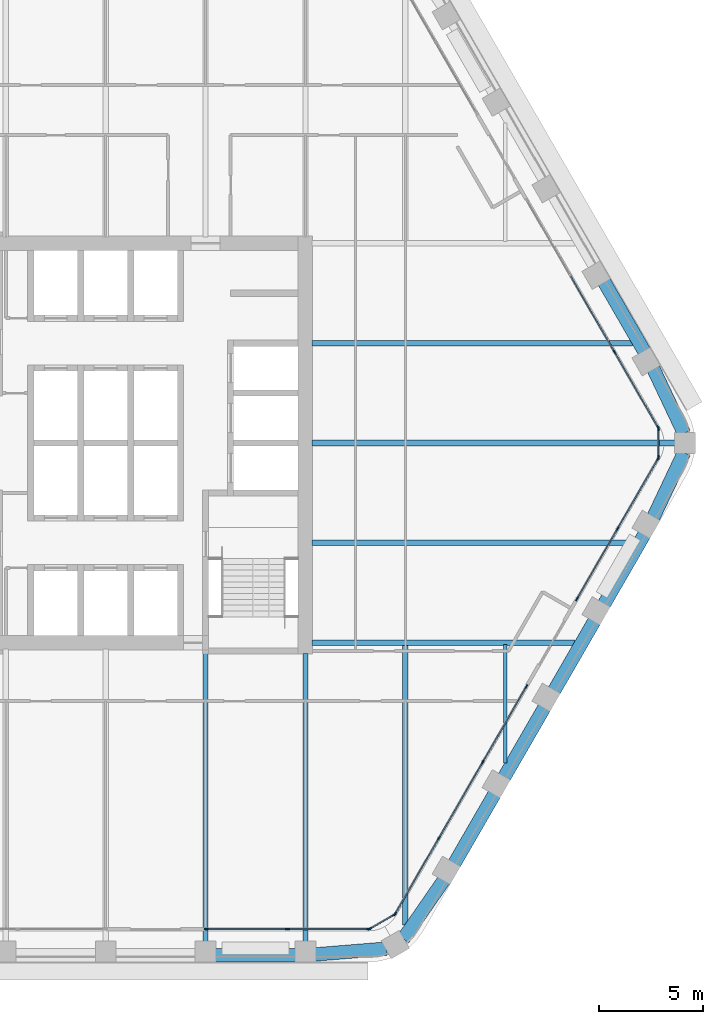
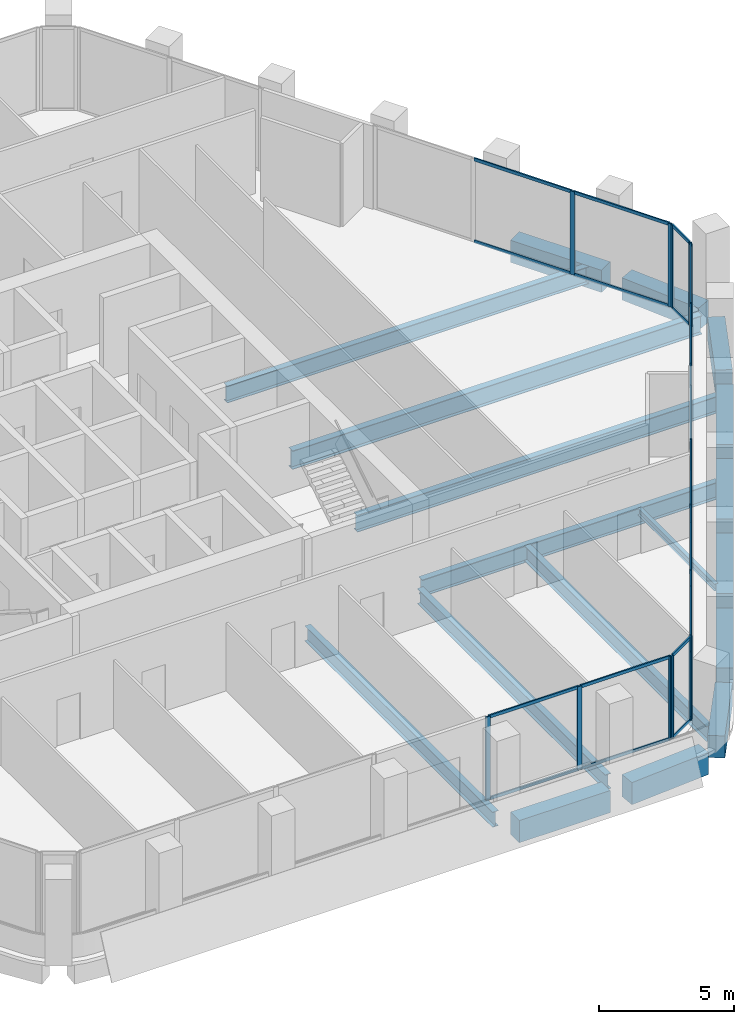
# One storey, part 4 of 15: 38 members, 18 beams, 6 elements without a shape of their own.
"""IFC4 building model written with IfcOpenShell, lengths in metres."""

from ifc_helpers import new_model, si_unit, direction, frame, origin, origin_2d, place, context, subcontext, project, spatial, rectangle, i_section, extrude, material, material_profile, profile_set, type_object, element, aggregate, save


model = new_model("IFC4")

# Units and contexts
model_context = context("Model", 3, precision=1e-05, world=origin(), true_north=direction((0.0, 1.0)))
body_context = subcontext(model_context, "Body", "Model", "MODEL_VIEW")
ifc_project = project(units=[si_unit("LENGTHUNIT", "METRE"), si_unit("AREAUNIT", "SQUARE_METRE"), si_unit("VOLUMEUNIT", "CUBIC_METRE"), si_unit("PLANEANGLEUNIT", "RADIAN"), si_unit("MASSUNIT", "GRAM", prefix="KILO")], contexts=[model_context])

# Site, building, storey
site_placement = place(None, origin())
site = spatial("IfcSite", under=ifc_project, at=site_placement, CompositionType="ELEMENT")
building_placement = place(site_placement, origin())
building = spatial("IfcBuilding", under=site, at=building_placement, Name="Kolab Exchange Tower", CompositionType="ELEMENT")
storey_placement = place(building_placement, frame((0.0, 0.0, 189.5)))
storey = spatial("IfcBuildingStorey", under=building, at=storey_placement, Name="L40", CompositionType="ELEMENT", Elevation=189.5)

# Beams
ifc_material_1 = material(Name="Steel S355", Category="steel")
ifc_material_profile_1 = material_profile(ifc_material_1, i_section(OverallWidth=0.1650390625, OverallDepth=0.31005859375, WebThickness=0.005859375, FlangeThickness=0.009765625, at=origin_2d()), Name="W310X39")
ifc_profile_set_1 = profile_set([ifc_material_profile_1], Name="Steel S355")
beam_type_1 = type_object("IfcBeamType", Name="FLOOR BEAM W310X39", PredefinedType="BEAM", material=ifc_profile_set_1)
beam_1_placement = place(storey_placement, frame((19.199951171875, -15.36767578125, -0.304931640625), z_axis=(0.0, 1.0, 0.0), x_axis=(-1.0, 0.0, 0.0)))
element("IfcBeam", 1, at=beam_1_placement, inside=storey, type_object=beam_type_1, Name="beam/L40/fr/022", PredefinedType="BEAM", context=body_context, shape_type="SweptSolid", body=[
    extrude(i_section(OverallWidth=0.1650390625, OverallDepth=0.31005859375, WebThickness=0.005859375, FlangeThickness=0.009765625, at=origin_2d()), origin(), (0.0, 0.0, 1.0), 5.674072265625),
])
ifc_material_profile_2 = material_profile(ifc_material_1, i_section(OverallWidth=0.25390625, OverallDepth=0.68408203125, WebThickness=0.012451171875, FlangeThickness=0.018798828125, at=origin_2d()), Name="W690X140")
ifc_profile_set_2 = profile_set([ifc_material_profile_2], Name="Steel S355")
beam_type_2 = type_object("IfcBeamType", Name="FLOOR BEAM W690X140", PredefinedType="BEAM", material=ifc_profile_set_2)
for number, where, z_axis, x_axis, name in (
    (2, (4.800048828125, -23.9814453125, -0.491943359375), (0.0, 1.0, 0.0), (-1.0, 0.0, 0.0), "beam/L40/fr/013"),
    (3, (9.60009765625, -23.9814453125, -0.491943359375), (0.0, 1.0, 0.0), (-1.0, 0.0, 0.0), "beam/L40/fr/015"),
):
    element("IfcBeam", number, at=place(storey_placement, frame(where, z_axis=z_axis, x_axis=x_axis)), inside=storey, type_object=beam_type_2, Name=name, PredefinedType="BEAM", context=body_context, shape_type="SweptSolid", body=[
        extrude(i_section(OverallWidth=0.25390625, OverallDepth=0.68408203125, WebThickness=0.012451171875, FlangeThickness=0.018798828125, at=origin_2d()), origin(), (0.0, 0.0, 1.0), 13.871337890625),
    ])
beam_2_placement = place(storey_placement, frame((14.39990234375, -23.15576171875, -0.491943359375), z_axis=(0.0, 1.0, 0.0), x_axis=(-1.0, 0.0, 0.0)))
element("IfcBeam", 4, at=beam_2_placement, inside=storey, type_object=beam_type_2, Name="beam/L40/fr/020", PredefinedType="BEAM", context=body_context, shape_type="SweptSolid", body=[
    extrude(i_section(OverallWidth=0.25390625, OverallDepth=0.68408203125, WebThickness=0.012451171875, FlangeThickness=0.018798828125, at=origin_2d()), origin(), (0.0, 0.0, 1.0), 13.462158203125),
])
ifc_material_profile_3 = material_profile(ifc_material_1, i_section(OverallWidth=0.26708984375, OverallDepth=0.761962890625, WebThickness=0.014404296875, FlangeThickness=0.021484375, at=origin_2d()), Name="W760X173")
ifc_profile_set_3 = profile_set([ifc_material_profile_3], Name="Steel S355")
beam_type_3 = type_object("IfcBeamType", Name="FLOOR BEAM W760X173", PredefinedType="BEAM", material=ifc_profile_set_3)
for number, where, z_axis, x_axis, name in (
    (5, (9.909912109375, -4.800048828125, -0.531005859375), (1.0, 0.0, 0.0), (0.0, 1.0, 0.0), "beam/L40/fr/017"),
    (6, (9.909912109375, 4.800048828125, -0.531005859375), (1.0, 0.0, 0.0), (0.0, 1.0, 0.0), "beam/L40/fr/019"),
):
    element("IfcBeam", number, at=place(storey_placement, frame(where, z_axis=z_axis, x_axis=x_axis)), inside=storey, type_object=beam_type_3, Name=name, PredefinedType="BEAM", context=body_context, shape_type="SweptSolid", body=[
        extrude(i_section(OverallWidth=0.26708984375, OverallDepth=0.761962890625, WebThickness=0.014404296875, FlangeThickness=0.021484375, at=origin_2d()), origin(), (0.0, 0.0, 1.0), 15.408203125),
    ])
ifc_material_profile_4 = material_profile(ifc_material_1, i_section(OverallWidth=0.2919921875, OverallDepth=0.840087890625, WebThickness=0.0146484375, FlangeThickness=0.021728515625, at=origin_2d()), Name="W840X193")
ifc_profile_set_4 = profile_set([ifc_material_profile_4], Name="Steel S355")
beam_type_4 = type_object("IfcBeamType", Name="FLOOR BEAM W840X193", PredefinedType="BEAM", material=ifc_profile_set_4)
beam_3_placement = place(storey_placement, frame((9.909912109375, 0.0, -0.570068359375), z_axis=(1.0, 0.0, 0.0), x_axis=(0.0, 1.0, 0.0)))
element("IfcBeam", 7, at=beam_3_placement, inside=storey, type_object=beam_type_4, Name="beam/L40/fr/018", PredefinedType="BEAM", context=body_context, shape_type="SweptSolid", body=[
    extrude(i_section(OverallWidth=0.2919921875, OverallDepth=0.840087890625, WebThickness=0.0146484375, FlangeThickness=0.021728515625, at=origin_2d()), origin(), (0.0, 0.0, 1.0), 17.466064453125),
])
ifc_material_profile_5 = material_profile(ifc_material_1, i_section(OverallWidth=0.26708984375, OverallDepth=0.761962890625, WebThickness=0.014404296875, FlangeThickness=0.021484375, at=origin_2d()), Name="W760X173")
ifc_profile_set_5 = profile_set([ifc_material_profile_5], Name="Steel S355")
beam_type_5 = type_object("IfcBeamType", Name="FLOOR GIRDER W760X173", PredefinedType="BEAM", material=ifc_profile_set_5)
beam_4_placement = place(storey_placement, frame((9.909912109375, -9.60009765625, -0.531005859375), z_axis=(1.0, 0.0, 0.0), x_axis=(0.0, 1.0, 0.0)))
element("IfcBeam", 8, at=beam_4_placement, inside=storey, type_object=beam_type_5, Name="beam/L40/gd/002", PredefinedType="BEAM", context=body_context, shape_type="SweptSolid", body=[
    extrude(i_section(OverallWidth=0.26708984375, OverallDepth=0.761962890625, WebThickness=0.014404296875, FlangeThickness=0.021484375, at=origin_2d()), origin(), (0.0, 0.0, 1.0), 12.636962890625),
])
ifc_material_2 = material(Name="Concrete C60/75", Category="concrete")
ifc_material_profile_6 = material_profile(ifc_material_2, rectangle(XDim=0.64990234375, YDim=1.0, at=origin_2d()), Name="RC650X1000")
ifc_profile_set_6 = profile_set([ifc_material_profile_6], Name="Concrete C60/75")
beam_type_6 = type_object("IfcBeamType", Name="SPANDREL BEAM 650X1000 C60/75", PredefinedType="BEAM", material=ifc_profile_set_6)
beam_5_placement = place(storey_placement, frame((23.948486328125, 7.7529296875, -0.64990234375), z_axis=(0.499996613652, -0.866027358884, 0.0), x_axis=(0.866027358884, 0.499996613652, 0.0)))
element("IfcBeam", 9, at=beam_5_placement, inside=storey, type_object=beam_type_6, Name="beam/L40/sp/F2-05", PredefinedType="BEAM", context=body_context, shape_type="SweptSolid", body=[
    extrude(rectangle(XDim=0.64990234375, YDim=1.0, at=origin_2d()), origin(), (0.0, 0.0, 1.0), 3.8798828125),
])
for number, where, z_axis, x_axis, name in (
    (10, (26.316162109375, 3.5771484375, -0.64990234375), (0.428177731975, -0.903694544545, 0.0), (0.903694544545, 0.428177731975, 0.0), "beam/L40/sp/F2-06"),
    (11, (27.791259765625, -0.4638671875, -0.64990234375), (-0.428177731975, -0.903694544545, 0.0), (0.903694544545, -0.428177731975, 0.0), "beam/L40/sp/F3-01"),
):
    element("IfcBeam", number, at=place(storey_placement, frame(where, z_axis=z_axis, x_axis=x_axis)), inside=storey, type_object=beam_type_6, Name=name, PredefinedType="BEAM", context=body_context, shape_type="SweptSolid", body=[
        extrude(rectangle(XDim=0.64990234375, YDim=1.0, at=origin_2d()), origin(), (0.0, 0.0, 1.0), 3.445068359375),
    ])
for number, where, z_axis, x_axis, name in (
    (12, (25.888427734375, -4.392822265625, -0.64990234375), (-0.499996613652, -0.866027358884, 0.0), (0.866027358884, -0.499996613652, 0.0), "beam/L40/sp/F3-02"),
    (13, (23.488525390625, -8.5498046875, -0.64990234375), (-0.499996613652, -0.866027358884, 0.0), (0.866027358884, -0.499996613652, 0.0), "beam/L40/sp/F3-03"),
):
    element("IfcBeam", number, at=place(storey_placement, frame(where, z_axis=z_axis, x_axis=x_axis)), inside=storey, type_object=beam_type_6, Name=name, PredefinedType="BEAM", context=body_context, shape_type="SweptSolid", body=[
        extrude(rectangle(XDim=0.64990234375, YDim=1.0, at=origin_2d()), origin(), (0.0, 0.0, 1.0), 3.8798828125),
    ])
beam_6_placement = place(storey_placement, frame((21.088623046875, -12.70654296875, -0.64990234375), z_axis=(-0.50001655835, -0.866015843605, 0.0), x_axis=(0.866015843605, -0.50001655835, 0.0)))
element("IfcBeam", 14, at=beam_6_placement, inside=storey, type_object=beam_type_6, Name="beam/L40/sp/F3-04", PredefinedType="BEAM", context=body_context, shape_type="SweptSolid", body=[
    extrude(rectangle(XDim=0.64990234375, YDim=1.0, at=origin_2d()), origin(), (0.0, 0.0, 1.0), 3.880126953125),
])
beam_7_placement = place(storey_placement, frame((18.6884765625, -16.863525390625, -0.64990234375), z_axis=(-0.499996613652, -0.866027358884, 0.0), x_axis=(0.866027358884, -0.499996613652, 0.0)))
element("IfcBeam", 15, at=beam_7_placement, inside=storey, type_object=beam_type_6, Name="beam/L40/sp/F3-05", PredefinedType="BEAM", context=body_context, shape_type="SweptSolid", body=[
    extrude(rectangle(XDim=0.64990234375, YDim=1.0, at=origin_2d()), origin(), (0.0, 0.0, 1.0), 3.8798828125),
])
for number, where, z_axis, x_axis, name in (
    (16, (16.256103515625, -21.001953125, -0.64990234375), (-0.568572281073, -0.822633309073, 0.0), (0.822633309073, -0.568572281073, 0.0), "beam/L40/sp/F3-06"),
    (17, (13.493896484375, -24.2998046875, -0.64990234375), (-0.996708497182, -0.081068931445, 0.0), (0.081068931445, -0.996708497182, 0.0), "beam/L40/sp/F4-01"),
):
    element("IfcBeam", number, at=place(storey_placement, frame(where, z_axis=z_axis, x_axis=x_axis)), inside=storey, type_object=beam_type_6, Name=name, PredefinedType="BEAM", context=body_context, shape_type="SweptSolid", body=[
        extrude(rectangle(XDim=0.64990234375, YDim=1.0, at=origin_2d()), origin(), (0.0, 0.0, 1.0), 3.445068359375),
    ])
beam_8_placement = place(storey_placement, frame((9.139892578125, -24.616455078125, -0.64990234375), z_axis=(-1.0, 0.0, 0.0), x_axis=(0.0, -1.0, 0.0)))
element("IfcBeam", 18, at=beam_8_placement, inside=storey, type_object=beam_type_6, Name="beam/L40/sp/F4-02", PredefinedType="BEAM", context=body_context, shape_type="SweptSolid", body=[
    extrude(rectangle(XDim=0.64990234375, YDim=1.0, at=origin_2d()), origin(), (0.0, 0.0, 1.0), 3.8798828125),
])

# Curtain wall, members
ifc_material_3 = material(Name="Aluminium EN AW-6063 T6", Category="aluminium")
curtain_wall_type = type_object("IfcCurtainWallType", Name="UNITISED UPPER MID ZONE CURTAIN WALL", PredefinedType="NOTDEFINED", material=ifc_material_3)
curtain_wall_1_placement = place(storey_placement, origin())
curtain_wall_1 = element("IfcCurtainWall", 19, at=curtain_wall_1_placement, inside=storey, type_object=curtain_wall_type, Name="cw/L40/F2-2", PredefinedType="NOTDEFINED")
ifc_material_profile_7 = material_profile(ifc_material_3, rectangle(XDim=0.06005859375, YDim=0.199951171875, at=origin_2d()), Name="RECT 60X200")
ifc_profile_set_7 = profile_set([ifc_material_profile_7], Name="Aluminium EN AW-6063 T6")
member_type_1 = type_object("IfcMemberType", Name="UNITISED UPPER MID ZONE MULLION 60 X 200", PredefinedType="MULLION", material=ifc_profile_set_7)
member_1_placement = place(storey_placement, frame((24.454345703125, 4.366943359375, 0.0), z_axis=(0.0, 0.0, 1.0), x_axis=(0.866025427826, 0.499999958358, 0.0)))
member_1 = element("IfcMember", 20, at=member_1_placement, type_object=member_type_1, Name="CW3 mullion 3", PredefinedType="MULLION", context=body_context, shape_type="SweptSolid", body=[
    extrude(rectangle(XDim=0.06005859375, YDim=0.199951171875, at=origin_2d()), origin(), (0.0, 0.0, 1.0), 3.75),
])
member_2_placement = place(storey_placement, frame((26.550537109375, 0.736083984375, 0.0), z_axis=(0.0, 0.0, 1.0), x_axis=(0.866025427826, 0.499999958358, 0.0)))
member_2 = element("IfcMember", 21, at=member_2_placement, type_object=member_type_1, Name="CW3 mullion 4", PredefinedType="MULLION", context=body_context, shape_type="SweptSolid", body=[
    extrude(rectangle(XDim=0.06005859375, YDim=0.199951171875, at=origin_2d()), origin(), (0.0, 0.0, 1.0), 3.75),
])

curtain_wall_2_placement = place(storey_placement, origin())
curtain_wall_2 = element("IfcCurtainWall", 22, at=curtain_wall_2_placement, inside=storey, type_object=curtain_wall_type, Name="cw/L40/F3-1", PredefinedType="NOTDEFINED")
member_3_placement = place(storey_placement, frame((26.550537109375, -0.736083984375, 0.0), z_axis=(0.0, 0.0, 1.0), x_axis=(0.866025440524, -0.499999936366, 0.0)))
member_3 = element("IfcMember", 23, at=member_3_placement, type_object=member_type_1, Name="CW3 mullion 1", PredefinedType="MULLION", context=body_context, shape_type="SweptSolid", body=[
    extrude(rectangle(XDim=0.06005859375, YDim=0.199951171875, at=origin_2d()), origin(), (0.0, 0.0, 1.0), 3.75),
])
member_4_placement = place(storey_placement, frame((24.5986328125, -4.116943359375, 0.0), z_axis=(0.0, 0.0, 1.0), x_axis=(0.866025440524, -0.499999936366, 0.0)))
member_4 = element("IfcMember", 24, at=member_4_placement, type_object=member_type_1, Name="CW3 mullion 2", PredefinedType="MULLION", context=body_context, shape_type="SweptSolid", body=[
    extrude(rectangle(XDim=0.06005859375, YDim=0.199951171875, at=origin_2d()), origin(), (0.0, 0.0, 1.0), 3.75),
])
member_5_placement = place(storey_placement, frame((22.646728515625, -7.497802734375, 0.0), z_axis=(0.0, 0.0, 1.0), x_axis=(0.866025440524, -0.499999936366, 0.0)))
member_5 = element("IfcMember", 25, at=member_5_placement, type_object=member_type_1, Name="CW3 mullion 3", PredefinedType="MULLION", context=body_context, shape_type="SweptSolid", body=[
    extrude(rectangle(XDim=0.06005859375, YDim=0.199951171875, at=origin_2d()), origin(), (0.0, 0.0, 1.0), 3.75),
])

curtain_wall_3_placement = place(storey_placement, origin())
curtain_wall_3 = element("IfcCurtainWall", 26, at=curtain_wall_3_placement, inside=storey, type_object=curtain_wall_type, Name="cw/L40/F3-2", PredefinedType="NOTDEFINED")
member_6_placement = place(storey_placement, frame((20.216796875, -11.706787109375, 0.0), z_axis=(0.0, 0.0, 1.0), x_axis=(0.866025393644, -0.500000017564, 0.0)))
member_6 = element("IfcMember", 27, at=member_6_placement, type_object=member_type_1, Name="CW3 mullion 1", PredefinedType="MULLION", context=body_context, shape_type="SweptSolid", body=[
    extrude(rectangle(XDim=0.06005859375, YDim=0.199951171875, at=origin_2d()), origin(), (0.0, 0.0, 1.0), 3.75),
])
member_7_placement = place(storey_placement, frame((18.120361328125, -15.337646484375, 0.0), z_axis=(0.0, 0.0, 1.0), x_axis=(0.866025393644, -0.500000017564, 0.0)))
member_7 = element("IfcMember", 28, at=member_7_placement, type_object=member_type_1, Name="CW3 mullion 2", PredefinedType="MULLION", context=body_context, shape_type="SweptSolid", body=[
    extrude(rectangle(XDim=0.06005859375, YDim=0.199951171875, at=origin_2d()), origin(), (0.0, 0.0, 1.0), 3.75),
])
member_8_placement = place(storey_placement, frame((16.009033203125, -18.99462890625, 0.0), z_axis=(0.0, 0.0, 1.0), x_axis=(0.866025393644, -0.500000017564, 0.0)))
member_8 = element("IfcMember", 29, at=member_8_placement, type_object=member_type_1, Name="CW3 mullion 3", PredefinedType="MULLION", context=body_context, shape_type="SweptSolid", body=[
    extrude(rectangle(XDim=0.06005859375, YDim=0.199951171875, at=origin_2d()), origin(), (0.0, 0.0, 1.0), 3.75),
])
member_9_placement = place(storey_placement, frame((13.91259765625, -22.62548828125, 0.0), z_axis=(0.0, 0.0, 1.0), x_axis=(0.866025393644, -0.500000017564, 0.0)))
member_9 = element("IfcMember", 30, at=member_9_placement, type_object=member_type_1, Name="CW3 mullion 4", PredefinedType="MULLION", context=body_context, shape_type="SweptSolid", body=[
    extrude(rectangle(XDim=0.06005859375, YDim=0.199951171875, at=origin_2d()), origin(), (0.0, 0.0, 1.0), 3.75),
])

curtain_wall_4_placement = place(storey_placement, origin())
curtain_wall_4 = element("IfcCurtainWall", 31, at=curtain_wall_4_placement, inside=storey, type_object=curtain_wall_type, Name="cw/L40/F4-1", PredefinedType="NOTDEFINED")
member_10_placement = place(storey_placement, frame((12.637939453125, -23.361572265625, 0.0), z_axis=(0.0, 0.0, 1.0), x_axis=(0.0, -1.0, 0.0)))
member_10 = element("IfcMember", 32, at=member_10_placement, type_object=member_type_1, Name="CW3 mullion 1", PredefinedType="MULLION", context=body_context, shape_type="SweptSolid", body=[
    extrude(rectangle(XDim=0.06005859375, YDim=0.199951171875, at=origin_2d()), origin(), (0.0, 0.0, 1.0), 3.75),
])
member_11_placement = place(storey_placement, frame((8.73388671875, -23.361572265625, 0.0), z_axis=(0.0, 0.0, 1.0), x_axis=(0.0, -1.0, 0.0)))
member_11 = element("IfcMember", 33, at=member_11_placement, type_object=member_type_1, Name="CW3 mullion 2", PredefinedType="MULLION", context=body_context, shape_type="SweptSolid", body=[
    extrude(rectangle(XDim=0.06005859375, YDim=0.199951171875, at=origin_2d()), origin(), (0.0, 0.0, 1.0), 3.75),
])
member_12_placement = place(storey_placement, frame((4.830078125, -23.361572265625, 0.0), z_axis=(0.0, 0.0, 1.0), x_axis=(0.0, -1.0, 0.0)))
member_12 = element("IfcMember", 34, at=member_12_placement, type_object=member_type_1, Name="CW3 mullion 3", PredefinedType="MULLION", context=body_context, shape_type="SweptSolid", body=[
    extrude(rectangle(XDim=0.06005859375, YDim=0.199951171875, at=origin_2d()), origin(), (0.0, 0.0, 1.0), 3.75),
])

curtain_wall_5_placement = place(storey_placement, origin())
curtain_wall_5 = element("IfcCurtainWall", 35, at=curtain_wall_5_placement, inside=storey, type_object=curtain_wall_type, Name="cw/L40/F2F3-corner", PredefinedType="NOTDEFINED")
member_13_placement = place(storey_placement, frame((26.565673828125, 0.679931640625, 0.0), z_axis=(0.0, 0.0, 1.0), x_axis=(1.0, 0.0, 0.0)))
member_13 = element("IfcMember", 36, at=member_13_placement, type_object=member_type_1, Name="CW3 mullion 1", PredefinedType="MULLION", context=body_context, shape_type="SweptSolid", body=[
    extrude(rectangle(XDim=0.06005859375, YDim=0.199951171875, at=origin_2d()), origin(), (0.0, 0.0, 1.0), 3.75),
])
member_14_placement = place(storey_placement, frame((26.565673828125, -0.679931640625, 0.0), z_axis=(0.0, 0.0, 1.0), x_axis=(1.0, 0.0, 0.0)))
member_14 = element("IfcMember", 37, at=member_14_placement, type_object=member_type_1, Name="CW3 mullion 2", PredefinedType="MULLION", context=body_context, shape_type="SweptSolid", body=[
    extrude(rectangle(XDim=0.06005859375, YDim=0.199951171875, at=origin_2d()), origin(), (0.0, 0.0, 1.0), 3.75),
])

curtain_wall_6_placement = place(storey_placement, origin())
curtain_wall_6 = element("IfcCurtainWall", 38, at=curtain_wall_6_placement, inside=storey, type_object=curtain_wall_type, Name="cw/L40/F3F4-corner", PredefinedType="NOTDEFINED")
member_15_placement = place(storey_placement, frame((13.871826171875, -22.66650390625, 0.0), z_axis=(0.0, 0.0, 1.0), x_axis=(0.50000002237, -0.866025390869, 0.0)))
member_15 = element("IfcMember", 39, at=member_15_placement, type_object=member_type_1, Name="CW3 mullion 1", PredefinedType="MULLION", context=body_context, shape_type="SweptSolid", body=[
    extrude(rectangle(XDim=0.06005859375, YDim=0.199951171875, at=origin_2d()), origin(), (0.0, 0.0, 1.0), 3.75),
])
member_16_placement = place(storey_placement, frame((12.69384765625, -23.346435546875, 0.0), z_axis=(0.0, 0.0, 1.0), x_axis=(0.50000002237, -0.866025390869, 0.0)))
member_16 = element("IfcMember", 40, at=member_16_placement, type_object=member_type_1, Name="CW3 mullion 2", PredefinedType="MULLION", context=body_context, shape_type="SweptSolid", body=[
    extrude(rectangle(XDim=0.06005859375, YDim=0.199951171875, at=origin_2d()), origin(), (0.0, 0.0, 1.0), 3.75),
])

# Member
ifc_material_profile_8 = material_profile(ifc_material_3, rectangle(XDim=0.06005859375, YDim=0.139892578125, at=origin_2d()), Name="RECT 60X140")
ifc_profile_set_8 = profile_set([ifc_material_profile_8], Name="Aluminium EN AW-6063 T6")
member_type_2 = type_object("IfcMemberType", Name="UNITISED UPPER MID ZONE TRANSOM 60 X 140", PredefinedType="USERDEFINED", material=ifc_profile_set_8)
member_17_placement = place(storey_placement, frame((22.35791015625, 7.997802734375, 0.030029296875), z_axis=(0.49999322259, -0.866029316688, 0.0), x_axis=(0.866029316688, 0.49999322259, 0.0)))
member_17 = element("IfcMember", 41, at=member_17_placement, type_object=member_type_2, Name="CW3 transom 2.1", ObjectType="TRANSOM", PredefinedType="USERDEFINED", context=body_context, shape_type="SweptSolid", body=[
    extrude(rectangle(XDim=0.06005859375, YDim=0.139892578125, at=origin_2d()), origin(), (0.0, 0.0, 1.0), 4.16259765625),
])

member_18_placement = place(storey_placement, frame((22.35791015625, 7.997802734375, 3.719970703125), z_axis=(0.49999322259, -0.866029316688, 0.0), x_axis=(0.866029316688, 0.49999322259, 0.0)))
member_18 = element("IfcMember", 42, at=member_18_placement, type_object=member_type_2, Name="CW3 transom 2.2", ObjectType="TRANSOM", PredefinedType="USERDEFINED", context=body_context, shape_type="SweptSolid", body=[
    extrude(rectangle(XDim=0.06005859375, YDim=0.139892578125, at=origin_2d()), origin(), (0.0, 0.0, 1.0), 4.16259765625),
])

member_19_placement = place(storey_placement, frame((24.46923828125, 4.3408203125, 0.030029296875), z_axis=(0.500027577057, -0.866009481578, 0.0), x_axis=(0.866009481578, 0.500027577057, 0.0)))
member_19 = element("IfcMember", 43, at=member_19_placement, type_object=member_type_2, Name="CW3 transom 3.1", ObjectType="TRANSOM", PredefinedType="USERDEFINED", context=body_context, shape_type="SweptSolid", body=[
    extrude(rectangle(XDim=0.06005859375, YDim=0.139892578125, at=origin_2d()), origin(), (0.0, 0.0, 1.0), 4.132568359375),
])

member_20_placement = place(storey_placement, frame((24.46923828125, 4.3408203125, 3.719970703125), z_axis=(0.500027577057, -0.866009481578, 0.0), x_axis=(0.866009481578, 0.500027577057, 0.0)))
member_20 = element("IfcMember", 44, at=member_20_placement, type_object=member_type_2, Name="CW3 transom 3.2", ObjectType="TRANSOM", PredefinedType="USERDEFINED", context=body_context, shape_type="SweptSolid", body=[
    extrude(rectangle(XDim=0.06005859375, YDim=0.139892578125, at=origin_2d()), origin(), (0.0, 0.0, 1.0), 4.132568359375),
])

aggregate(curtain_wall_1, [member_1, member_2, member_17, member_18, member_19, member_20])

member_21_placement = place(storey_placement, frame((26.53564453125, -0.761962890625, 0.030029296875), z_axis=(-0.499991857942, -0.866030104553, 0.0), x_axis=(0.866030104553, -0.499991857942, 0.0)))
member_21 = element("IfcMember", 45, at=member_21_placement, type_object=member_type_2, Name="CW3 transom 1.1", ObjectType="TRANSOM", PredefinedType="USERDEFINED", context=body_context, shape_type="SweptSolid", body=[
    extrude(rectangle(XDim=0.06005859375, YDim=0.139892578125, at=origin_2d()), origin(), (0.0, 0.0, 1.0), 3.84375),
])

member_22_placement = place(storey_placement, frame((26.53564453125, -0.761962890625, 3.719970703125), z_axis=(-0.499991857942, -0.866030104553, 0.0), x_axis=(0.866030104553, -0.499991857942, 0.0)))
member_22 = element("IfcMember", 46, at=member_22_placement, type_object=member_type_2, Name="CW3 transom 1.2", ObjectType="TRANSOM", PredefinedType="USERDEFINED", context=body_context, shape_type="SweptSolid", body=[
    extrude(rectangle(XDim=0.06005859375, YDim=0.139892578125, at=origin_2d()), origin(), (0.0, 0.0, 1.0), 3.84375),
])

member_23_placement = place(storey_placement, frame((24.583740234375, -4.142822265625, 0.030029296875), z_axis=(-0.500011990396, -0.866018481016, 0.0), x_axis=(0.866018481016, -0.500011990396, 0.0)))
member_23 = element("IfcMember", 47, at=member_23_placement, type_object=member_type_2, Name="CW3 transom 2.1", ObjectType="TRANSOM", PredefinedType="USERDEFINED", context=body_context, shape_type="SweptSolid", body=[
    extrude(rectangle(XDim=0.06005859375, YDim=0.139892578125, at=origin_2d()), origin(), (0.0, 0.0, 1.0), 3.84423828125),
])

member_24_placement = place(storey_placement, frame((24.583740234375, -4.142822265625, 3.719970703125), z_axis=(-0.500011990396, -0.866018481016, 0.0), x_axis=(0.866018481016, -0.500011990396, 0.0)))
member_24 = element("IfcMember", 48, at=member_24_placement, type_object=member_type_2, Name="CW3 transom 2.2", ObjectType="TRANSOM", PredefinedType="USERDEFINED", context=body_context, shape_type="SweptSolid", body=[
    extrude(rectangle(XDim=0.06005859375, YDim=0.139892578125, at=origin_2d()), origin(), (0.0, 0.0, 1.0), 3.84423828125),
])

aggregate(curtain_wall_2, [member_3, member_4, member_5, member_21, member_22, member_23, member_24])

member_25_placement = place(storey_placement, frame((20.20166015625, -11.732666015625, 0.030029296875), z_axis=(-0.500001996123, -0.866024251319, 0.0), x_axis=(0.866024251319, -0.500001996123, 0.0)))
member_25 = element("IfcMember", 49, at=member_25_placement, type_object=member_type_2, Name="CW3 transom 1.1", ObjectType="TRANSOM", PredefinedType="USERDEFINED", context=body_context, shape_type="SweptSolid", body=[
    extrude(rectangle(XDim=0.06005859375, YDim=0.139892578125, at=origin_2d()), origin(), (0.0, 0.0, 1.0), 4.1328125),
])

member_26_placement = place(storey_placement, frame((20.20166015625, -11.732666015625, 3.719970703125), z_axis=(-0.500001996123, -0.866024251319, 0.0), x_axis=(0.866024251319, -0.500001996123, 0.0)))
member_26 = element("IfcMember", 50, at=member_26_placement, type_object=member_type_2, Name="CW3 transom 1.2", ObjectType="TRANSOM", PredefinedType="USERDEFINED", context=body_context, shape_type="SweptSolid", body=[
    extrude(rectangle(XDim=0.06005859375, YDim=0.139892578125, at=origin_2d()), origin(), (0.0, 0.0, 1.0), 4.1328125),
])

member_27_placement = place(storey_placement, frame((18.10546875, -15.36376953125, 0.030029296875), z_axis=(-0.500037208726, -0.86600392025, 0.0), x_axis=(0.86600392025, -0.500037208726, 0.0)))
member_27 = element("IfcMember", 51, at=member_27_placement, type_object=member_type_2, Name="CW3 transom 2.1", ObjectType="TRANSOM", PredefinedType="USERDEFINED", context=body_context, shape_type="SweptSolid", body=[
    extrude(rectangle(XDim=0.06005859375, YDim=0.139892578125, at=origin_2d()), origin(), (0.0, 0.0, 1.0), 4.162841796875),
])

member_28_placement = place(storey_placement, frame((18.10546875, -15.36376953125, 3.719970703125), z_axis=(-0.500037208726, -0.86600392025, 0.0), x_axis=(0.86600392025, -0.500037208726, 0.0)))
member_28 = element("IfcMember", 52, at=member_28_placement, type_object=member_type_2, Name="CW3 transom 2.2", ObjectType="TRANSOM", PredefinedType="USERDEFINED", context=body_context, shape_type="SweptSolid", body=[
    extrude(rectangle(XDim=0.06005859375, YDim=0.139892578125, at=origin_2d()), origin(), (0.0, 0.0, 1.0), 4.162841796875),
])

member_29_placement = place(storey_placement, frame((15.994140625, -19.0205078125, 0.030029296875), z_axis=(-0.500001996123, -0.866024251319, 0.0), x_axis=(0.866024251319, -0.500001996123, 0.0)))
member_29 = element("IfcMember", 53, at=member_29_placement, type_object=member_type_2, Name="CW3 transom 3.1", ObjectType="TRANSOM", PredefinedType="USERDEFINED", context=body_context, shape_type="SweptSolid", body=[
    extrude(rectangle(XDim=0.06005859375, YDim=0.139892578125, at=origin_2d()), origin(), (0.0, 0.0, 1.0), 4.1328125),
])

member_30_placement = place(storey_placement, frame((15.994140625, -19.0205078125, 3.719970703125), z_axis=(-0.500001996123, -0.866024251319, 0.0), x_axis=(0.866024251319, -0.500001996123, 0.0)))
member_30 = element("IfcMember", 54, at=member_30_placement, type_object=member_type_2, Name="CW3 transom 3.2", ObjectType="TRANSOM", PredefinedType="USERDEFINED", context=body_context, shape_type="SweptSolid", body=[
    extrude(rectangle(XDim=0.06005859375, YDim=0.139892578125, at=origin_2d()), origin(), (0.0, 0.0, 1.0), 4.1328125),
])

aggregate(curtain_wall_3, [member_6, member_7, member_8, member_9, member_25, member_26, member_27, member_28, member_29, member_30])

member_31_placement = place(storey_placement, frame((12.60791015625, -23.361572265625, 0.030029296875), z_axis=(-1.0, 0.0, 0.0), x_axis=(0.0, -1.0, 0.0)))
member_31 = element("IfcMember", 55, at=member_31_placement, type_object=member_type_2, Name="CW3 transom 1.1", ObjectType="TRANSOM", PredefinedType="USERDEFINED", context=body_context, shape_type="SweptSolid", body=[
    extrude(rectangle(XDim=0.06005859375, YDim=0.139892578125, at=origin_2d()), origin(), (0.0, 0.0, 1.0), 3.843994140625),
])

member_32_placement = place(storey_placement, frame((12.60791015625, -23.361572265625, 3.719970703125), z_axis=(-1.0, 0.0, 0.0), x_axis=(0.0, -1.0, 0.0)))
member_32 = element("IfcMember", 56, at=member_32_placement, type_object=member_type_2, Name="CW3 transom 1.2", ObjectType="TRANSOM", PredefinedType="USERDEFINED", context=body_context, shape_type="SweptSolid", body=[
    extrude(rectangle(XDim=0.06005859375, YDim=0.139892578125, at=origin_2d()), origin(), (0.0, 0.0, 1.0), 3.843994140625),
])

member_33_placement = place(storey_placement, frame((8.703857421875, -23.361572265625, 0.030029296875), z_axis=(-1.0, 0.0, 0.0), x_axis=(0.0, -1.0, 0.0)))
member_33 = element("IfcMember", 57, at=member_33_placement, type_object=member_type_2, Name="CW3 transom 2.1", ObjectType="TRANSOM", PredefinedType="USERDEFINED", context=body_context, shape_type="SweptSolid", body=[
    extrude(rectangle(XDim=0.06005859375, YDim=0.139892578125, at=origin_2d()), origin(), (0.0, 0.0, 1.0), 3.84375),
])

member_34_placement = place(storey_placement, frame((8.703857421875, -23.361572265625, 3.719970703125), z_axis=(-1.0, 0.0, 0.0), x_axis=(0.0, -1.0, 0.0)))
member_34 = element("IfcMember", 58, at=member_34_placement, type_object=member_type_2, Name="CW3 transom 2.2", ObjectType="TRANSOM", PredefinedType="USERDEFINED", context=body_context, shape_type="SweptSolid", body=[
    extrude(rectangle(XDim=0.06005859375, YDim=0.139892578125, at=origin_2d()), origin(), (0.0, 0.0, 1.0), 3.84375),
])

aggregate(curtain_wall_4, [member_10, member_11, member_12, member_31, member_32, member_33, member_34])

member_35_placement = place(storey_placement, frame((26.565673828125, 0.64990234375, 0.030029296875), z_axis=(0.0, -1.0, 0.0), x_axis=(1.0, 0.0, 0.0)))
member_35 = element("IfcMember", 59, at=member_35_placement, type_object=member_type_2, Name="CW3 transom 1.1", ObjectType="TRANSOM", PredefinedType="USERDEFINED", context=body_context, shape_type="SweptSolid", body=[
    extrude(rectangle(XDim=0.06005859375, YDim=0.139892578125, at=origin_2d()), origin(), (0.0, 0.0, 1.0), 1.2998046875),
])

member_36_placement = place(storey_placement, frame((26.565673828125, 0.64990234375, 3.719970703125), z_axis=(0.0, -1.0, 0.0), x_axis=(1.0, 0.0, 0.0)))
member_36 = element("IfcMember", 60, at=member_36_placement, type_object=member_type_2, Name="CW3 transom 1.2", ObjectType="TRANSOM", PredefinedType="USERDEFINED", context=body_context, shape_type="SweptSolid", body=[
    extrude(rectangle(XDim=0.06005859375, YDim=0.139892578125, at=origin_2d()), origin(), (0.0, 0.0, 1.0), 1.2998046875),
])

aggregate(curtain_wall_5, [member_13, member_14, member_35, member_36])

member_37_placement = place(storey_placement, frame((13.845703125, -22.681640625, 0.030029296875), z_axis=(-0.86603858612, -0.49997716683, 0.0), x_axis=(0.49997716683, -0.86603858612, 0.0)))
member_37 = element("IfcMember", 61, at=member_37_placement, type_object=member_type_2, Name="CW3 transom 1.1", ObjectType="TRANSOM", PredefinedType="USERDEFINED", context=body_context, shape_type="SweptSolid", body=[
    extrude(rectangle(XDim=0.06005859375, YDim=0.139892578125, at=origin_2d()), origin(), (0.0, 0.0, 1.0), 1.2998046875),
])

member_38_placement = place(storey_placement, frame((13.845703125, -22.681640625, 3.719970703125), z_axis=(-0.86603858612, -0.49997716683, 0.0), x_axis=(0.49997716683, -0.86603858612, 0.0)))
member_38 = element("IfcMember", 62, at=member_38_placement, type_object=member_type_2, Name="CW3 transom 1.2", ObjectType="TRANSOM", PredefinedType="USERDEFINED", context=body_context, shape_type="SweptSolid", body=[
    extrude(rectangle(XDim=0.06005859375, YDim=0.139892578125, at=origin_2d()), origin(), (0.0, 0.0, 1.0), 1.2998046875),
])

aggregate(curtain_wall_6, [member_15, member_16, member_37, member_38])

save(model, "model.ifc")
